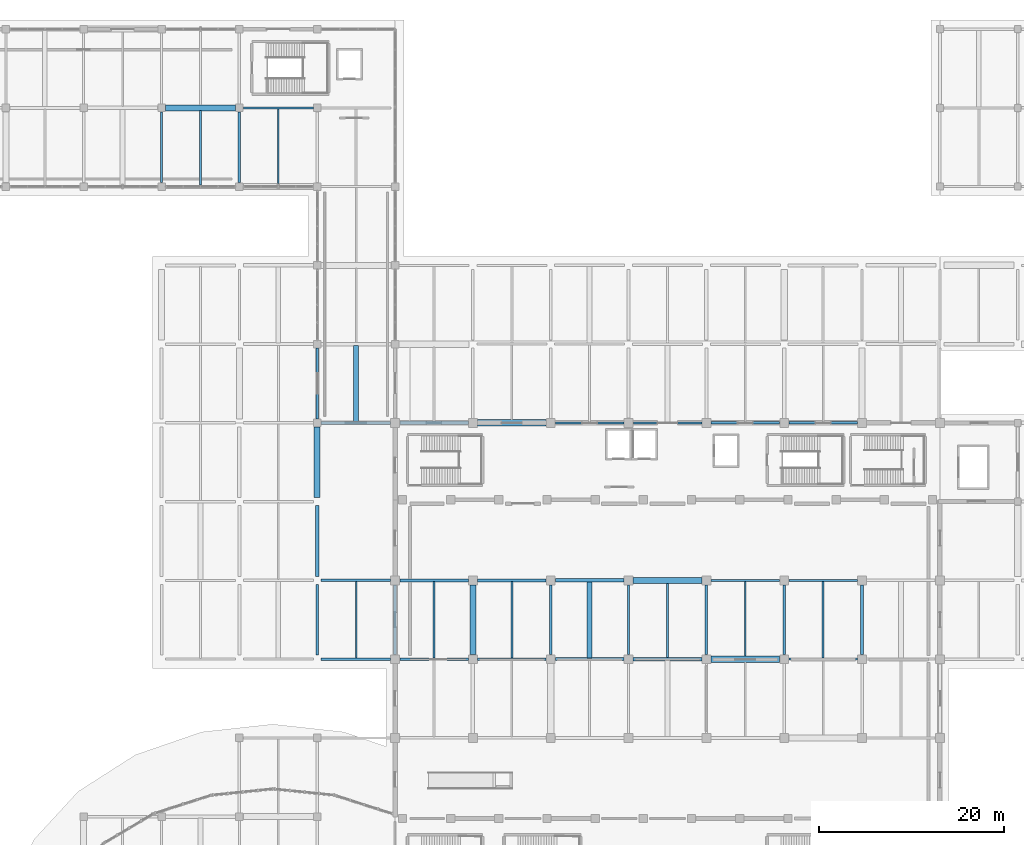
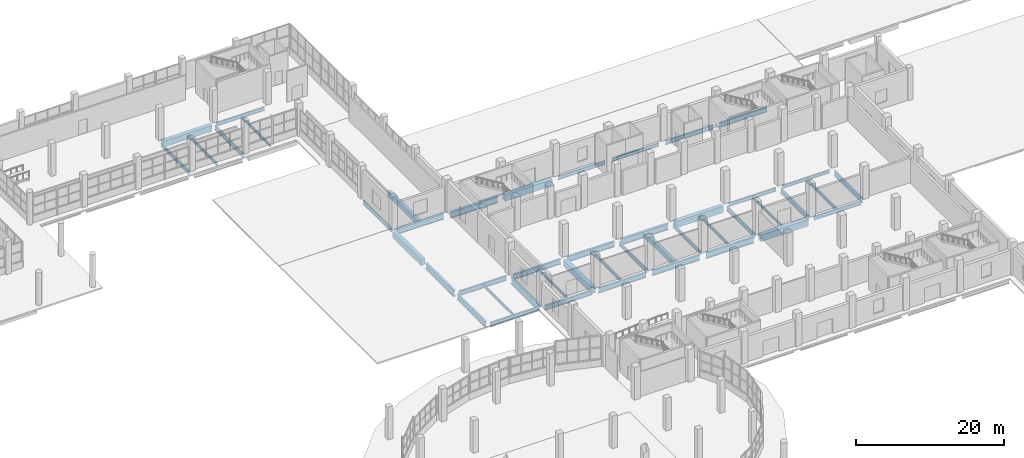
# One storey, part 35 of 107: 46 beams.
"""IFC4 building model written with IfcOpenShell, lengths in metres."""

from ifc_helpers import new_model, si_unit, direction, frame, origin, origin_2d, place, context, subcontext, project, spatial, rectangle, i_section, extrude, material, material_profile, profile_set, type_object, element, save


model = new_model("IFC4")

# Units and contexts
model_context = context("Model", 3, precision=1e-05, world=origin(), true_north=direction((0.0, 1.0)))
body_context = subcontext(model_context, "Body", "Model", "MODEL_VIEW")
ifc_project = project(units=[si_unit("LENGTHUNIT", "METRE"), si_unit("AREAUNIT", "SQUARE_METRE"), si_unit("VOLUMEUNIT", "CUBIC_METRE"), si_unit("PLANEANGLEUNIT", "RADIAN"), si_unit("MASSUNIT", "GRAM", prefix="KILO")], contexts=[model_context])

# Site, building, storey
site_placement = place(None, origin())
site = spatial("IfcSite", under=ifc_project, at=site_placement, CompositionType="ELEMENT")
building_placement = place(site_placement, origin())
building = spatial("IfcBuilding", under=site, at=building_placement, Name="Solvento Point Concert Hall", CompositionType="ELEMENT")
storey_placement = place(building_placement, origin())
storey = spatial("IfcBuildingStorey", under=building, at=storey_placement, Name="L00", CompositionType="ELEMENT", Elevation=0.0)

# Beams
ifc_material_1 = material(Name="Concrete C35/45", Category="concrete")
ifc_material_profile_1 = material_profile(ifc_material_1, rectangle(XDim=0.52001953125, YDim=0.840087890625, at=origin_2d()), Name="RC-BM-520X840")
ifc_profile_set_1 = profile_set([ifc_material_profile_1], Name="Concrete C35/45")
beam_type_1 = type_object("IfcBeamType", Name="Beam_RC_520x840", PredefinedType="BEAM", material=ifc_profile_set_1)
for number, where, z_axis, x_axis, name in (
    (1, (70.199951171875, 93.638916015625, -0.72412109375), (0.0, 1.0, 0.0), (-1.0, 0.0, 0.0), "Secondary floor joist B-54 L00"),
    (2, (95.39990234375, 68.138916015625, -0.85400390625), (0.0, 1.0, 0.0), (-1.0, 0.0, 0.0), "Secondary floor joist B-54 L00"),
):
    element("IfcBeam", number, at=place(storey_placement, frame(where, z_axis=z_axis, x_axis=x_axis)), inside=storey, type_object=beam_type_1, Name=name, PredefinedType="BEAM", context=body_context, shape_type="SweptSolid", body=[
        extrude(rectangle(XDim=0.52001953125, YDim=0.840087890625, at=origin_2d()), origin(), (0.0, 0.0, 1.0), 8.195556640625),
    ])
ifc_material_2 = material(Name="Structural Steel ASTM A992 Grade 50", Category="steel")
ifc_material_profile_2 = material_profile(ifc_material_2, i_section(OverallWidth=0.20947265625, OverallDepth=0.532958984375, WebThickness=0.01025390625, FlangeThickness=0.015625, at=origin_2d()), Name="W21X62")
ifc_profile_set_2 = profile_set([ifc_material_profile_2], Name="Structural Steel ASTM A992 Grade 50")
beam_type_2 = type_object("IfcBeamType", Name="Beam_W21X62", PredefinedType="BEAM", material=ifc_profile_set_2)
beam_1_placement = place(storey_placement, frame((87.0, 68.131103515625, -0.700439453125), z_axis=(0.0, 1.0, 0.0), x_axis=(-1.0, 0.0, 0.0)))
element("IfcBeam", 3, at=beam_1_placement, inside=storey, type_object=beam_type_2, Name="Secondary floor joist B-25 L00", PredefinedType="BEAM", context=body_context, shape_type="SweptSolid", body=[
    extrude(i_section(OverallWidth=0.20947265625, OverallDepth=0.532958984375, WebThickness=0.01025390625, FlangeThickness=0.015625, at=origin_2d()), origin(), (0.0, 0.0, 1.0), 8.22998046875),
])
beam_2_placement = place(storey_placement, frame((120.60009765625, 68.09912109375, -0.700439453125), z_axis=(0.0, 1.0, 0.0), x_axis=(-1.0, 0.0, 0.0)))
element("IfcBeam", 4, at=beam_2_placement, inside=storey, type_object=beam_type_2, Name="Secondary floor joist B-25 L00", PredefinedType="BEAM", context=body_context, shape_type="SweptSolid", body=[
    extrude(i_section(OverallWidth=0.20947265625, OverallDepth=0.532958984375, WebThickness=0.01025390625, FlangeThickness=0.015625, at=origin_2d()), origin(), (0.0, 0.0, 1.0), 8.308837890625),
])
ifc_material_3 = material(Name="Structural Steel ASTM A992 Grade 50", Category="steel")
ifc_material_profile_3 = material_profile(ifc_material_3, i_section(OverallWidth=0.214111328125, OverallDepth=0.549072265625, WebThickness=0.0146484375, FlangeThickness=0.023681640625, at=origin_2d()), Name="W21X93")
ifc_profile_set_3 = profile_set([ifc_material_profile_3], Name="Structural Steel ASTM A992 Grade 50")
beam_type_3 = type_object("IfcBeamType", Name="Beam_W21X93", PredefinedType="BEAM", material=ifc_profile_set_3)
beam_3_placement = place(storey_placement, frame((116.89404296875, 76.5, -0.70849609375), z_axis=(1.0, 0.0, 0.0), x_axis=(0.0, 1.0, 0.0)))
element("IfcBeam", 5, at=beam_3_placement, inside=storey, type_object=beam_type_3, Name="Primary girder B-48 L00", PredefinedType="BEAM", context=body_context, shape_type="SweptSolid", body=[
    extrude(i_section(OverallWidth=0.214111328125, OverallDepth=0.549072265625, WebThickness=0.0146484375, FlangeThickness=0.023681640625, at=origin_2d()), origin(), (0.0, 0.0, 1.0), 7.411865234375),
])
beam_4_placement = place(storey_placement, frame((100.118896484375, 93.5, -0.70849609375), z_axis=(1.0, 0.0, 0.0), x_axis=(0.0, 1.0, 0.0)))
element("IfcBeam", 6, at=beam_4_placement, inside=storey, type_object=beam_type_3, Name="Primary girder B-48 L00", PredefinedType="BEAM", context=body_context, shape_type="SweptSolid", body=[
    extrude(i_section(OverallWidth=0.214111328125, OverallDepth=0.549072265625, WebThickness=0.0146484375, FlangeThickness=0.023681640625, at=origin_2d()), origin(), (0.0, 0.0, 1.0), 7.38720703125),
])
beam_5_placement = place(storey_placement, frame((49.199951171875, 119.424072265625, -0.6884765625), z_axis=(0.0, 1.0, 0.0), x_axis=(-1.0, 0.0, 0.0)))
element("IfcBeam", 7, at=beam_5_placement, inside=storey, type_object=beam_type_3, Name="Primary girder B-48 L00", PredefinedType="BEAM", context=body_context, shape_type="SweptSolid", body=[
    extrude(i_section(OverallWidth=0.214111328125, OverallDepth=0.549072265625, WebThickness=0.0146484375, FlangeThickness=0.023681640625, at=origin_2d()), origin(), (0.0, 0.0, 1.0), 7.65185546875),
])
beam_6_placement = place(storey_placement, frame((99.60009765625, 68.493896484375, -0.70849609375), z_axis=(0.0, 1.0, 0.0), x_axis=(-1.0, 0.0, 0.0)))
element("IfcBeam", 8, at=beam_6_placement, inside=storey, type_object=beam_type_3, Name="Primary girder B-48 L00", PredefinedType="BEAM", context=body_context, shape_type="SweptSolid", body=[
    extrude(i_section(OverallWidth=0.214111328125, OverallDepth=0.549072265625, WebThickness=0.0146484375, FlangeThickness=0.023681640625, at=origin_2d()), origin(), (0.0, 0.0, 1.0), 7.51220703125),
])
ifc_material_4 = material(Name="Structural Steel ASTM A992 Grade 50", Category="steel")
ifc_material_profile_4 = material_profile(ifc_material_4, i_section(OverallWidth=0.228515625, OverallDepth=0.60791015625, WebThickness=0.01123046875, FlangeThickness=0.017333984375, at=origin_2d()), Name="W24X76")
ifc_profile_set_4 = profile_set([ifc_material_profile_4], Name="Structural Steel ASTM A992 Grade 50")
beam_type_4 = type_object("IfcBeamType", Name="Beam_W24X76", PredefinedType="BEAM", material=ifc_profile_set_4)
beam_7_placement = place(storey_placement, frame((116.89404296875, 68.0, -0.738037109375), z_axis=(1.0, 0.0, 0.0), x_axis=(0.0, 1.0, 0.0)))
element("IfcBeam", 9, at=beam_7_placement, inside=storey, type_object=beam_type_4, Name="Primary girder B-42 L00", PredefinedType="BEAM", context=body_context, shape_type="SweptSolid", body=[
    extrude(i_section(OverallWidth=0.228515625, OverallDepth=0.60791015625, WebThickness=0.01123046875, FlangeThickness=0.017333984375, at=origin_2d()), origin(), (0.0, 0.0, 1.0), 7.411865234375),
])
beam_8_placement = place(storey_placement, frame((108.493896484375, 76.5, -0.738037109375), z_axis=(1.0, 0.0, 0.0), x_axis=(0.0, 1.0, 0.0)))
element("IfcBeam", 10, at=beam_8_placement, inside=storey, type_object=beam_type_4, Name="Primary girder B-42 L00", PredefinedType="BEAM", context=body_context, shape_type="SweptSolid", body=[
    extrude(i_section(OverallWidth=0.228515625, OverallDepth=0.60791015625, WebThickness=0.01123046875, FlangeThickness=0.017333984375, at=origin_2d()), origin(), (0.0, 0.0, 1.0), 7.412109375),
])
beam_9_placement = place(storey_placement, frame((91.694091796875, 93.5, -0.738037109375), z_axis=(1.0, 0.0, 0.0), x_axis=(0.0, 1.0, 0.0)))
element("IfcBeam", 11, at=beam_9_placement, inside=storey, type_object=beam_type_4, Name="Primary girder B-42 L00", PredefinedType="BEAM", context=body_context, shape_type="SweptSolid", body=[
    extrude(i_section(OverallWidth=0.228515625, OverallDepth=0.60791015625, WebThickness=0.01123046875, FlangeThickness=0.017333984375, at=origin_2d()), origin(), (0.0, 0.0, 1.0), 7.386962890625),
])
beam_10_placement = place(storey_placement, frame((58.02392578125, 127.5, -0.718017578125), z_axis=(1.0, 0.0, 0.0), x_axis=(0.0, 1.0, 0.0)))
element("IfcBeam", 12, at=beam_10_placement, inside=storey, type_object=beam_type_4, Name="Primary girder B-42 L00", PredefinedType="BEAM", context=body_context, shape_type="SweptSolid", body=[
    extrude(i_section(OverallWidth=0.228515625, OverallDepth=0.60791015625, WebThickness=0.01123046875, FlangeThickness=0.017333984375, at=origin_2d()), origin(), (0.0, 0.0, 1.0), 7.552001953125),
])
beam_11_placement = place(storey_placement, frame((66.0, 93.924072265625, -0.60791015625), z_axis=(0.0, 1.0, 0.0), x_axis=(-1.0, 0.0, 0.0)))
element("IfcBeam", 13, at=beam_11_placement, inside=storey, type_object=beam_type_4, Name="Primary girder B-42 L00", PredefinedType="BEAM", context=body_context, shape_type="SweptSolid", body=[
    extrude(i_section(OverallWidth=0.228515625, OverallDepth=0.60791015625, WebThickness=0.01123046875, FlangeThickness=0.017333984375, at=origin_2d()), origin(), (0.0, 0.0, 1.0), 7.65185546875),
])
beam_12_placement = place(storey_placement, frame((91.199951171875, 68.493896484375, -0.738037109375), z_axis=(0.0, 1.0, 0.0), x_axis=(-1.0, 0.0, 0.0)))
element("IfcBeam", 14, at=beam_12_placement, inside=storey, type_object=beam_type_4, Name="Primary girder B-42 L00", PredefinedType="BEAM", context=body_context, shape_type="SweptSolid", body=[
    extrude(i_section(OverallWidth=0.228515625, OverallDepth=0.60791015625, WebThickness=0.01123046875, FlangeThickness=0.017333984375, at=origin_2d()), origin(), (0.0, 0.0, 1.0), 7.51220703125),
])
ifc_material_5 = material(Name="Concrete C35/45", Category="concrete")
ifc_material_profile_5 = material_profile(ifc_material_5, rectangle(XDim=0.64990234375, YDim=1.0, at=origin_2d()), Name="RC-BM-650X1000")
ifc_profile_set_5 = profile_set([ifc_material_profile_5], Name="Concrete C35/45")
beam_type_5 = type_object("IfcBeamType", Name="Girder_RC_650x1000", PredefinedType="USERDEFINED", material=ifc_profile_set_5)
beam_13_placement = place(storey_placement, frame((49.6240234375, 127.5, -0.9140625), z_axis=(1.0, 0.0, 0.0), x_axis=(0.0, 1.0, 0.0)))
element("IfcBeam", 15, at=beam_13_placement, inside=storey, type_object=beam_type_5, Name="Primary girder B-67 L00", ObjectType="GIRDER", PredefinedType="USERDEFINED", context=body_context, shape_type="SweptSolid", body=[
    extrude(rectangle(XDim=0.64990234375, YDim=1.0, at=origin_2d()), origin(), (0.0, 0.0, 1.0), 7.552001953125),
])
beam_14_placement = place(storey_placement, frame((66.0, 85.424072265625, -0.743896484375), z_axis=(0.0, 1.0, 0.0), x_axis=(-1.0, 0.0, 0.0)))
element("IfcBeam", 16, at=beam_14_placement, inside=storey, type_object=beam_type_5, Name="Primary girder B-67 L00", ObjectType="GIRDER", PredefinedType="USERDEFINED", context=body_context, shape_type="SweptSolid", body=[
    extrude(rectangle(XDim=0.64990234375, YDim=1.0, at=origin_2d()), origin(), (0.0, 0.0, 1.0), 7.65185546875),
])
ifc_material_6 = material(Name="Concrete C35/45", Category="concrete")
ifc_material_profile_6 = material_profile(ifc_material_6, rectangle(XDim=0.679931640625, YDim=1.050048828125, at=origin_2d()), Name="RC-BM-680X1050")
ifc_profile_set_6 = profile_set([ifc_material_profile_6], Name="Concrete C35/45")
beam_type_6 = type_object("IfcBeamType", Name="Girder_RC_680x1050", PredefinedType="USERDEFINED", material=ifc_profile_set_6)
for number, where, z_axis, x_axis, name in (
    (17, (108.493896484375, 68.0, -0.958984375), (1.0, 0.0, 0.0), (0.0, 1.0, 0.0), "Primary girder B-91 L00"),
    (18, (100.093994140625, 76.5, -0.958984375), (1.0, 0.0, 0.0), (0.0, 1.0, 0.0), "Primary girder B-91 L00"),
    (19, (83.2939453125, 93.5, -0.958984375), (1.0, 0.0, 0.0), (0.0, 1.0, 0.0), "Primary girder B-91 L00"),
):
    element("IfcBeam", number, at=place(storey_placement, frame(where, z_axis=z_axis, x_axis=x_axis)), inside=storey, type_object=beam_type_6, Name=name, ObjectType="GIRDER", PredefinedType="USERDEFINED", context=body_context, shape_type="SweptSolid", body=[
        extrude(rectangle(XDim=0.679931640625, YDim=1.050048828125, at=origin_2d()), origin(), (0.0, 0.0, 1.0), 7.412109375),
    ])
beam_15_placement = place(storey_placement, frame((82.800048828125, 68.493896484375, -0.958984375), z_axis=(0.0, 1.0, 0.0), x_axis=(-1.0, 0.0, 0.0)))
element("IfcBeam", 20, at=beam_15_placement, inside=storey, type_object=beam_type_6, Name="Primary girder B-91 L00", ObjectType="GIRDER", PredefinedType="USERDEFINED", context=body_context, shape_type="SweptSolid", body=[
    extrude(rectangle(XDim=0.679931640625, YDim=1.050048828125, at=origin_2d()), origin(), (0.0, 0.0, 1.0), 7.51220703125),
])
ifc_material_7 = material(Name="Structural Steel ASTM A992 Grade 50", Category="steel")
ifc_material_profile_7 = material_profile(ifc_material_7, i_section(OverallWidth=0.256103515625, OverallDepth=0.693115234375, WebThickness=0.014404296875, FlangeThickness=0.023681640625, at=origin_2d()), Name="W27X114")
ifc_profile_set_7 = profile_set([ifc_material_profile_7], Name="Structural Steel ASTM A992 Grade 50")
beam_type_7 = type_object("IfcBeamType", Name="Girder_W27X114", PredefinedType="USERDEFINED", material=ifc_profile_set_7)
beam_16_placement = place(storey_placement, frame((66.424072265625, 68.0, -0.590576171875), z_axis=(1.0, 0.0, 0.0), x_axis=(0.0, 1.0, 0.0)))
element("IfcBeam", 21, at=beam_16_placement, inside=storey, type_object=beam_type_7, Name="Primary girder B-23 L00", ObjectType="GIRDER", PredefinedType="USERDEFINED", context=body_context, shape_type="SweptSolid", body=[
    extrude(i_section(OverallWidth=0.256103515625, OverallDepth=0.693115234375, WebThickness=0.014404296875, FlangeThickness=0.023681640625, at=origin_2d()), origin(), (0.0, 0.0, 1.0), 7.45703125),
])
beam_17_placement = place(storey_placement, frame((108.493896484375, 93.5, -0.780517578125), z_axis=(1.0, 0.0, 0.0), x_axis=(0.0, 1.0, 0.0)))
element("IfcBeam", 22, at=beam_17_placement, inside=storey, type_object=beam_type_7, Name="Primary girder B-23 L00", ObjectType="GIRDER", PredefinedType="USERDEFINED", context=body_context, shape_type="SweptSolid", body=[
    extrude(i_section(OverallWidth=0.256103515625, OverallDepth=0.693115234375, WebThickness=0.014404296875, FlangeThickness=0.023681640625, at=origin_2d()), origin(), (0.0, 0.0, 1.0), 7.412109375),
])
beam_18_placement = place(storey_placement, frame((57.60009765625, 119.424072265625, -0.760498046875), z_axis=(0.0, 1.0, 0.0), x_axis=(-1.0, 0.0, 0.0)))
element("IfcBeam", 23, at=beam_18_placement, inside=storey, type_object=beam_type_7, Name="Primary girder B-23 L00", ObjectType="GIRDER", PredefinedType="USERDEFINED", context=body_context, shape_type="SweptSolid", body=[
    extrude(i_section(OverallWidth=0.256103515625, OverallDepth=0.693115234375, WebThickness=0.014404296875, FlangeThickness=0.023681640625, at=origin_2d()), origin(), (0.0, 0.0, 1.0), 7.65185546875),
])
beam_19_placement = place(storey_placement, frame((108.0, 68.493896484375, -0.780517578125), z_axis=(0.0, 1.0, 0.0), x_axis=(-1.0, 0.0, 0.0)))
element("IfcBeam", 24, at=beam_19_placement, inside=storey, type_object=beam_type_7, Name="Primary girder B-23 L00", ObjectType="GIRDER", PredefinedType="USERDEFINED", context=body_context, shape_type="SweptSolid", body=[
    extrude(i_section(OverallWidth=0.256103515625, OverallDepth=0.693115234375, WebThickness=0.014404296875, FlangeThickness=0.023681640625, at=origin_2d()), origin(), (0.0, 0.0, 1.0), 7.51220703125),
])
ifc_material_8 = material(Name="Structural Steel ASTM A992 Grade 50", Category="steel")
ifc_material_profile_8 = material_profile(ifc_material_8, i_section(OverallWidth=0.26806640625, OverallDepth=0.77001953125, WebThickness=0.015625, FlangeThickness=0.025390625, at=origin_2d()), Name="W30X132")
ifc_profile_set_8 = profile_set([ifc_material_profile_8], Name="Structural Steel ASTM A992 Grade 50")
beam_type_8 = type_object("IfcBeamType", Name="Girder_W30X132", PredefinedType="USERDEFINED", material=ifc_profile_set_8)
beam_20_placement = place(storey_placement, frame((74.9189453125, 68.0, -0.819091796875), z_axis=(1.0, 0.0, 0.0), x_axis=(0.0, 1.0, 0.0)))
element("IfcBeam", 25, at=beam_20_placement, inside=storey, type_object=beam_type_8, Name="Primary girder B-68 L00", ObjectType="GIRDER", PredefinedType="USERDEFINED", context=body_context, shape_type="SweptSolid", body=[
    extrude(i_section(OverallWidth=0.26806640625, OverallDepth=0.77001953125, WebThickness=0.015625, FlangeThickness=0.025390625, at=origin_2d()), origin(), (0.0, 0.0, 1.0), 7.386962890625),
])
beam_21_placement = place(storey_placement, frame((66.424072265625, 76.5, -0.62890625), z_axis=(1.0, 0.0, 0.0), x_axis=(0.0, 1.0, 0.0)))
element("IfcBeam", 26, at=beam_21_placement, inside=storey, type_object=beam_type_8, Name="Primary girder B-68 L00", ObjectType="GIRDER", PredefinedType="USERDEFINED", context=body_context, shape_type="SweptSolid", body=[
    extrude(i_section(OverallWidth=0.26806640625, OverallDepth=0.77001953125, WebThickness=0.015625, FlangeThickness=0.025390625, at=origin_2d()), origin(), (0.0, 0.0, 1.0), 7.45703125),
])
beam_22_placement = place(storey_placement, frame((116.89404296875, 93.5, -0.819091796875), z_axis=(1.0, 0.0, 0.0), x_axis=(0.0, 1.0, 0.0)))
element("IfcBeam", 27, at=beam_22_placement, inside=storey, type_object=beam_type_8, Name="Primary girder B-68 L00", ObjectType="GIRDER", PredefinedType="USERDEFINED", context=body_context, shape_type="SweptSolid", body=[
    extrude(i_section(OverallWidth=0.26806640625, OverallDepth=0.77001953125, WebThickness=0.015625, FlangeThickness=0.025390625, at=origin_2d()), origin(), (0.0, 0.0, 1.0), 7.411865234375),
])
beam_23_placement = place(storey_placement, frame((116.39990234375, 68.493896484375, -0.819091796875), z_axis=(0.0, 1.0, 0.0), x_axis=(-1.0, 0.0, 0.0)))
element("IfcBeam", 28, at=beam_23_placement, inside=storey, type_object=beam_type_8, Name="Primary girder B-68 L00", ObjectType="GIRDER", PredefinedType="USERDEFINED", context=body_context, shape_type="SweptSolid", body=[
    extrude(i_section(OverallWidth=0.26806640625, OverallDepth=0.77001953125, WebThickness=0.015625, FlangeThickness=0.025390625, at=origin_2d()), origin(), (0.0, 0.0, 1.0), 7.51220703125),
])
ifc_material_9 = material(Name="Structural Steel ASTM A992 Grade 50", Category="steel")
ifc_material_profile_9 = material_profile(ifc_material_9, i_section(OverallWidth=0.2919921875, OverallDepth=0.85888671875, WebThickness=0.01708984375, FlangeThickness=0.031005859375, at=origin_2d()), Name="W33X169")
ifc_profile_set_9 = profile_set([ifc_material_profile_9], Name="Structural Steel ASTM A992 Grade 50")
beam_type_9 = type_object("IfcBeamType", Name="Girder_W33X169", PredefinedType="USERDEFINED", material=ifc_profile_set_9)
beam_24_placement = place(storey_placement, frame((83.2939453125, 68.0, -0.863525390625), z_axis=(1.0, 0.0, 0.0), x_axis=(0.0, 1.0, 0.0)))
element("IfcBeam", 29, at=beam_24_placement, inside=storey, type_object=beam_type_9, Name="Primary girder B-33 L00", ObjectType="GIRDER", PredefinedType="USERDEFINED", context=body_context, shape_type="SweptSolid", body=[
    extrude(i_section(OverallWidth=0.2919921875, OverallDepth=0.85888671875, WebThickness=0.01708984375, FlangeThickness=0.031005859375, at=origin_2d()), origin(), (0.0, 0.0, 1.0), 7.412109375),
])
beam_25_placement = place(storey_placement, frame((74.9189453125, 76.5, -0.863525390625), z_axis=(1.0, 0.0, 0.0), x_axis=(0.0, 1.0, 0.0)))
element("IfcBeam", 30, at=beam_25_placement, inside=storey, type_object=beam_type_9, Name="Primary girder B-33 L00", ObjectType="GIRDER", PredefinedType="USERDEFINED", context=body_context, shape_type="SweptSolid", body=[
    extrude(i_section(OverallWidth=0.2919921875, OverallDepth=0.85888671875, WebThickness=0.01708984375, FlangeThickness=0.031005859375, at=origin_2d()), origin(), (0.0, 0.0, 1.0), 7.386962890625),
])
beam_26_placement = place(storey_placement, frame((124.800048828125, 68.493896484375, -0.863525390625), z_axis=(0.0, 1.0, 0.0), x_axis=(-1.0, 0.0, 0.0)))
element("IfcBeam", 31, at=beam_26_placement, inside=storey, type_object=beam_type_9, Name="Primary girder B-33 L00", ObjectType="GIRDER", PredefinedType="USERDEFINED", context=body_context, shape_type="SweptSolid", body=[
    extrude(i_section(OverallWidth=0.2919921875, OverallDepth=0.85888671875, WebThickness=0.01708984375, FlangeThickness=0.031005859375, at=origin_2d()), origin(), (0.0, 0.0, 1.0), 7.51220703125),
])
ifc_material_10 = material(Name="Structural Steel ASTM A992 Grade 50", Category="steel")
ifc_material_profile_10 = material_profile(ifc_material_10, i_section(OverallWidth=0.3076171875, OverallDepth=0.927001953125, WebThickness=0.019287109375, FlangeThickness=0.031982421875, at=origin_2d()), Name="W36X194")
ifc_profile_set_10 = profile_set([ifc_material_profile_10], Name="Structural Steel ASTM A992 Grade 50")
beam_type_10 = type_object("IfcBeamType", Name="Girder_W36X194", PredefinedType="USERDEFINED", material=ifc_profile_set_10)
beam_27_placement = place(storey_placement, frame((91.694091796875, 68.0, -0.8974609375), z_axis=(1.0, 0.0, 0.0), x_axis=(0.0, 1.0, 0.0)))
element("IfcBeam", 32, at=beam_27_placement, inside=storey, type_object=beam_type_10, Name="Primary girder B-61 L00", ObjectType="GIRDER", PredefinedType="USERDEFINED", context=body_context, shape_type="SweptSolid", body=[
    extrude(i_section(OverallWidth=0.3076171875, OverallDepth=0.927001953125, WebThickness=0.019287109375, FlangeThickness=0.031982421875, at=origin_2d()), origin(), (0.0, 0.0, 1.0), 7.411865234375),
])
beam_28_placement = place(storey_placement, frame((83.2939453125, 76.5, -0.8974609375), z_axis=(1.0, 0.0, 0.0), x_axis=(0.0, 1.0, 0.0)))
element("IfcBeam", 33, at=beam_28_placement, inside=storey, type_object=beam_type_10, Name="Primary girder B-61 L00", ObjectType="GIRDER", PredefinedType="USERDEFINED", context=body_context, shape_type="SweptSolid", body=[
    extrude(i_section(OverallWidth=0.3076171875, OverallDepth=0.927001953125, WebThickness=0.019287109375, FlangeThickness=0.031982421875, at=origin_2d()), origin(), (0.0, 0.0, 1.0), 7.412109375),
])
beam_29_placement = place(storey_placement, frame((66.424072265625, 93.5, -0.767578125), z_axis=(1.0, 0.0, 0.0), x_axis=(0.0, 1.0, 0.0)))
element("IfcBeam", 34, at=beam_29_placement, inside=storey, type_object=beam_type_10, Name="Primary girder B-61 L00", ObjectType="GIRDER", PredefinedType="USERDEFINED", context=body_context, shape_type="SweptSolid", body=[
    extrude(i_section(OverallWidth=0.3076171875, OverallDepth=0.927001953125, WebThickness=0.019287109375, FlangeThickness=0.031982421875, at=origin_2d()), origin(), (0.0, 0.0, 1.0), 7.45703125),
])
beam_30_placement = place(storey_placement, frame((66.0, 68.424072265625, -0.70751953125), z_axis=(0.0, 1.0, 0.0), x_axis=(-1.0, 0.0, 0.0)))
element("IfcBeam", 35, at=beam_30_placement, inside=storey, type_object=beam_type_10, Name="Primary girder B-61 L00", ObjectType="GIRDER", PredefinedType="USERDEFINED", context=body_context, shape_type="SweptSolid", body=[
    extrude(i_section(OverallWidth=0.3076171875, OverallDepth=0.927001953125, WebThickness=0.019287109375, FlangeThickness=0.031982421875, at=origin_2d()), origin(), (0.0, 0.0, 1.0), 7.65185546875),
])
ifc_material_11 = material(Name="Structural Steel ASTM A992 Grade 50", Category="steel")
ifc_material_profile_11 = material_profile(ifc_material_11, i_section(OverallWidth=0.361083984375, OverallDepth=1.02587890625, WebThickness=0.01904296875, FlangeThickness=0.0361328125, at=origin_2d()), Name="W40X249")
ifc_profile_set_11 = profile_set([ifc_material_profile_11], Name="Structural Steel ASTM A992 Grade 50")
beam_type_11 = type_object("IfcBeamType", Name="Girder_W40X249", PredefinedType="USERDEFINED", material=ifc_profile_set_11)
beam_31_placement = place(storey_placement, frame((100.093994140625, 68.0, -0.947021484375), z_axis=(1.0, 0.0, 0.0), x_axis=(0.0, 1.0, 0.0)))
element("IfcBeam", 36, at=beam_31_placement, inside=storey, type_object=beam_type_11, Name="Primary girder B-29 L00", ObjectType="GIRDER", PredefinedType="USERDEFINED", context=body_context, shape_type="SweptSolid", body=[
    extrude(i_section(OverallWidth=0.361083984375, OverallDepth=1.02587890625, WebThickness=0.01904296875, FlangeThickness=0.0361328125, at=origin_2d()), origin(), (0.0, 0.0, 1.0), 7.412109375),
])
beam_32_placement = place(storey_placement, frame((91.694091796875, 76.5, -0.947021484375), z_axis=(1.0, 0.0, 0.0), x_axis=(0.0, 1.0, 0.0)))
element("IfcBeam", 37, at=beam_32_placement, inside=storey, type_object=beam_type_11, Name="Primary girder B-29 L00", ObjectType="GIRDER", PredefinedType="USERDEFINED", context=body_context, shape_type="SweptSolid", body=[
    extrude(i_section(OverallWidth=0.361083984375, OverallDepth=1.02587890625, WebThickness=0.01904296875, FlangeThickness=0.0361328125, at=origin_2d()), origin(), (0.0, 0.0, 1.0), 7.411865234375),
])
beam_33_placement = place(storey_placement, frame((74.9189453125, 93.5, -0.947021484375), z_axis=(1.0, 0.0, 0.0), x_axis=(0.0, 1.0, 0.0)))
element("IfcBeam", 38, at=beam_33_placement, inside=storey, type_object=beam_type_11, Name="Primary girder B-29 L00", ObjectType="GIRDER", PredefinedType="USERDEFINED", context=body_context, shape_type="SweptSolid", body=[
    extrude(i_section(OverallWidth=0.361083984375, OverallDepth=1.02587890625, WebThickness=0.01904296875, FlangeThickness=0.0361328125, at=origin_2d()), origin(), (0.0, 0.0, 1.0), 7.386962890625),
])
beam_34_placement = place(storey_placement, frame((66.0, 76.924072265625, -0.757080078125), z_axis=(0.0, 1.0, 0.0), x_axis=(-1.0, 0.0, 0.0)))
element("IfcBeam", 39, at=beam_34_placement, inside=storey, type_object=beam_type_11, Name="Primary girder B-29 L00", ObjectType="GIRDER", PredefinedType="USERDEFINED", context=body_context, shape_type="SweptSolid", body=[
    extrude(i_section(OverallWidth=0.361083984375, OverallDepth=1.02587890625, WebThickness=0.01904296875, FlangeThickness=0.0361328125, at=origin_2d()), origin(), (0.0, 0.0, 1.0), 7.65185546875),
])
beam_35_placement = place(storey_placement, frame((74.39990234375, 68.51904296875, -0.947021484375), z_axis=(0.0, 1.0, 0.0), x_axis=(-1.0, 0.0, 0.0)))
element("IfcBeam", 40, at=beam_35_placement, inside=storey, type_object=beam_type_11, Name="Primary girder B-29 L00", ObjectType="GIRDER", PredefinedType="USERDEFINED", context=body_context, shape_type="SweptSolid", body=[
    extrude(i_section(OverallWidth=0.361083984375, OverallDepth=1.02587890625, WebThickness=0.01904296875, FlangeThickness=0.0361328125, at=origin_2d()), origin(), (0.0, 0.0, 1.0), 7.4619140625),
])
ifc_material_12 = material(Name="Structural Steel ASTM A992 Grade 50", Category="steel")
ifc_material_profile_12 = material_profile(ifc_material_12, i_section(OverallWidth=0.177490234375, OverallDepth=0.403076171875, WebThickness=0.007568359375, FlangeThickness=0.010986328125, at=origin_2d()), Name="W16X36")
ifc_profile_set_12 = profile_set([ifc_material_profile_12], Name="Structural Steel ASTM A992 Grade 50")
beam_type_12 = type_object("IfcBeamType", Name="Joist_W16X36", PredefinedType="JOIST", material=ifc_profile_set_12)
beam_36_placement = place(storey_placement, frame((61.800048828125, 119.31005859375, -0.615478515625), z_axis=(0.0, 1.0, 0.0), x_axis=(-1.0, 0.0, 0.0)))
element("IfcBeam", 41, at=beam_36_placement, inside=storey, type_object=beam_type_12, Name="Secondary floor joist B-30 L00", PredefinedType="JOIST", context=body_context, shape_type="SweptSolid", body=[
    extrude(i_section(OverallWidth=0.177490234375, OverallDepth=0.403076171875, WebThickness=0.007568359375, FlangeThickness=0.010986328125, at=origin_2d()), origin(), (0.0, 0.0, 1.0), 8.0908203125),
])
beam_37_placement = place(storey_placement, frame((78.60009765625, 68.118896484375, -0.635498046875), z_axis=(0.0, 1.0, 0.0), x_axis=(-1.0, 0.0, 0.0)))
element("IfcBeam", 42, at=beam_37_placement, inside=storey, type_object=beam_type_12, Name="Secondary floor joist B-30 L00", PredefinedType="JOIST", context=body_context, shape_type="SweptSolid", body=[
    extrude(i_section(OverallWidth=0.177490234375, OverallDepth=0.403076171875, WebThickness=0.007568359375, FlangeThickness=0.010986328125, at=origin_2d()), origin(), (0.0, 0.0, 1.0), 8.25),
])
beam_38_placement = place(storey_placement, frame((112.199951171875, 68.324951171875, -0.635498046875), z_axis=(0.0, 1.0, 0.0), x_axis=(-1.0, 0.0, 0.0)))
element("IfcBeam", 43, at=beam_38_placement, inside=storey, type_object=beam_type_12, Name="Secondary floor joist B-30 L00", PredefinedType="JOIST", context=body_context, shape_type="SweptSolid", body=[
    extrude(i_section(OverallWidth=0.177490234375, OverallDepth=0.403076171875, WebThickness=0.007568359375, FlangeThickness=0.010986328125, at=origin_2d()), origin(), (0.0, 0.0, 1.0), 8.075927734375),
])
ifc_material_13 = material(Name="Structural Steel ASTM A992 Grade 50", Category="steel")
ifc_material_profile_13 = material_profile(ifc_material_13, i_section(OverallWidth=0.1904296875, OverallDepth=0.45703125, WebThickness=0.009033203125, FlangeThickness=0.014404296875, at=origin_2d()), Name="W18X50")
ifc_profile_set_13 = profile_set([ifc_material_profile_13], Name="Structural Steel ASTM A992 Grade 50")
beam_type_13 = type_object("IfcBeamType", Name="Joist_W18X50", PredefinedType="JOIST", material=ifc_profile_set_13)
beam_39_placement = place(storey_placement, frame((53.39990234375, 119.16552734375, -0.642578125), z_axis=(0.0, 1.0, 0.0), x_axis=(-1.0, 0.0, 0.0)))
element("IfcBeam", 44, at=beam_39_placement, inside=storey, type_object=beam_type_13, Name="Secondary floor joist B-66 L00", PredefinedType="JOIST", context=body_context, shape_type="SweptSolid", body=[
    extrude(i_section(OverallWidth=0.1904296875, OverallDepth=0.45703125, WebThickness=0.009033203125, FlangeThickness=0.014404296875, at=origin_2d()), origin(), (0.0, 0.0, 1.0), 8.0244140625),
])
beam_40_placement = place(storey_placement, frame((70.199951171875, 68.113037109375, -0.472412109375), z_axis=(0.0, 1.0, 0.0), x_axis=(-1.0, 0.0, 0.0)))
element("IfcBeam", 45, at=beam_40_placement, inside=storey, type_object=beam_type_13, Name="Secondary floor joist B-66 L00", PredefinedType="JOIST", context=body_context, shape_type="SweptSolid", body=[
    extrude(i_section(OverallWidth=0.1904296875, OverallDepth=0.45703125, WebThickness=0.009033203125, FlangeThickness=0.014404296875, at=origin_2d()), origin(), (0.0, 0.0, 1.0), 8.26806640625),
])
beam_41_placement = place(storey_placement, frame((103.800048828125, 68.16552734375, -0.66259765625), z_axis=(0.0, 1.0, 0.0), x_axis=(-1.0, 0.0, 0.0)))
element("IfcBeam", 46, at=beam_41_placement, inside=storey, type_object=beam_type_13, Name="Secondary floor joist B-66 L00", PredefinedType="JOIST", context=body_context, shape_type="SweptSolid", body=[
    extrude(i_section(OverallWidth=0.1904296875, OverallDepth=0.45703125, WebThickness=0.009033203125, FlangeThickness=0.014404296875, at=origin_2d()), origin(), (0.0, 0.0, 1.0), 8.009521484375),
])

save(model, "model.ifc")
